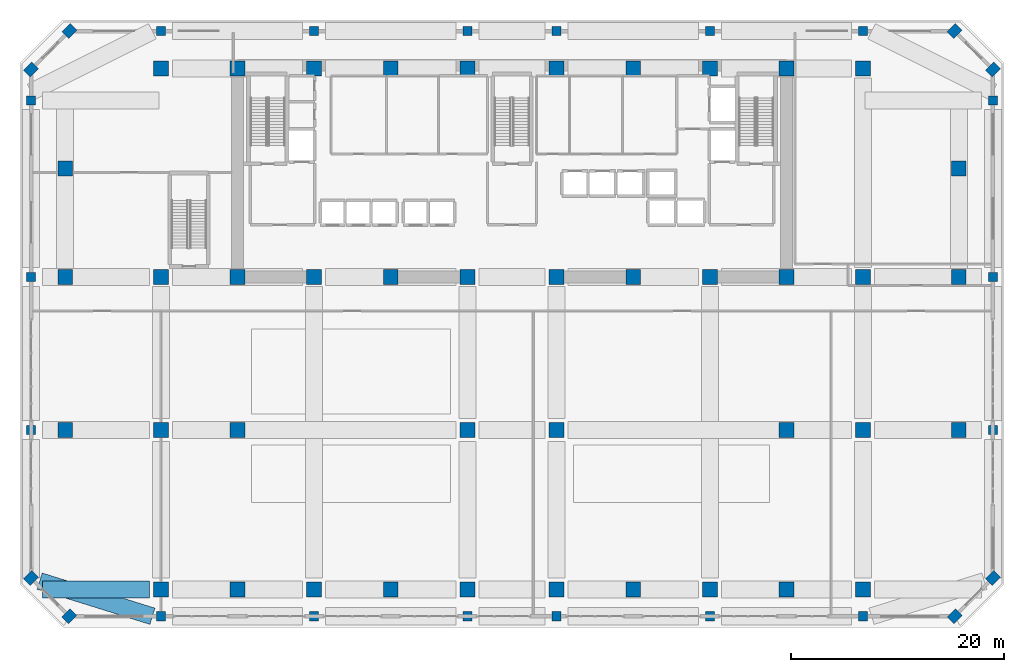
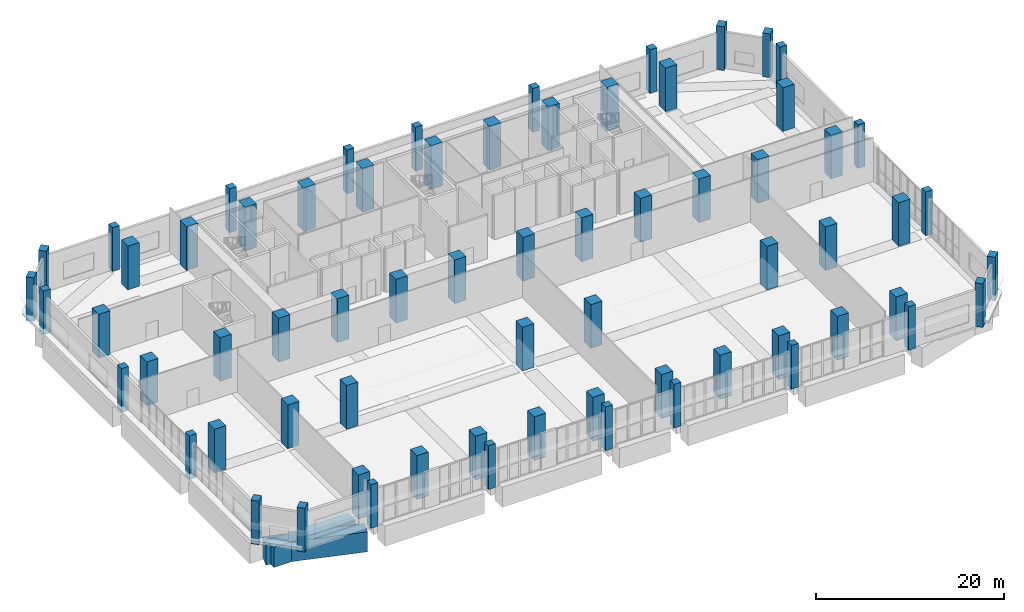
# One storey, part 1 of 25: 68 columns, 2 beams.
"""IFC4 building model written with IfcOpenShell, lengths in metres."""

from ifc_helpers import new_model, si_unit, direction, frame, origin, origin_2d, place, context, subcontext, project, spatial, rectangle, extrude, material, material_profile, profile_set, type_object, element, save


model = new_model("IFC4")

# Units and contexts
model_context = context("Model", 3, precision=1e-05, world=origin(), true_north=direction((0.0, 1.0)))
body_context = subcontext(model_context, "Body", "Model", "MODEL_VIEW")
ifc_project = project(units=[si_unit("LENGTHUNIT", "METRE"), si_unit("AREAUNIT", "SQUARE_METRE"), si_unit("VOLUMEUNIT", "CUBIC_METRE"), si_unit("PLANEANGLEUNIT", "RADIAN"), si_unit("MASSUNIT", "GRAM", prefix="KILO")], contexts=[model_context])

# Site, building, storey
site_placement = place(None, origin())
site = spatial("IfcSite", under=ifc_project, at=site_placement, CompositionType="ELEMENT")
building_placement = place(site_placement, origin())
building = spatial("IfcBuilding", under=site, at=building_placement, Name="Kaelvorn Grand Hotel", CompositionType="ELEMENT")
storey_placement = place(building_placement, frame((0.0, 0.0, 8.0)))
storey = spatial("IfcBuildingStorey", under=building, at=storey_placement, Name="L01", CompositionType="ELEMENT", Elevation=8.0)

# Columns
ifc_material_1 = material(Name="Concrete C80/95", Category="concrete")
ifc_material_profile_1 = material_profile(ifc_material_1, rectangle(XDim=1.10009765625, YDim=0.89990234375, at=origin_2d()), Name="RC PILASTER 1100x900")
ifc_profile_set_1 = profile_set([ifc_material_profile_1], Name="Concrete C80/95")
column_type_1 = type_object("IfcColumnType", Name="COL-PIL-1100x900-C80", PredefinedType="PILASTER", material=ifc_profile_set_1)
for number, where, z_axis, x_axis, name in (
    (1, (0.39990234375, -2.5, 0.0), (0.0, 0.0, 1.0), (0.707106781187, 0.707106781187, 0.0), "L01 Structural Column PDCH-01"),
    (2, (83.60009765625, -2.5, 0.0), (0.0, 0.0, 1.0), (0.707106781187, 0.707106781187, 0.0), "L01 Structural Column PDCH-02"),
    (3, (87.199951171875, 1.10009765625, 0.0), (0.0, 0.0, 1.0), (0.707106781187, 0.707106781187, 0.0), "L01 Structural Column PDCH-03"),
    (4, (87.199951171875, 48.89990234375, 0.0), (0.0, 0.0, 1.0), (0.707106781187, 0.707106781187, 0.0), "L01 Structural Column PDCH-04"),
    (5, (83.60009765625, 52.5, 0.0), (0.0, 0.0, 1.0), (0.707106781187, 0.707106781187, 0.0), "L01 Structural Column PDCH-05"),
    (6, (0.39990234375, 52.5, 0.0), (0.0, 0.0, 1.0), (0.707106781187, 0.707106781187, 0.0), "L01 Structural Column PDCH-06"),
    (7, (-3.199951171875, 48.89990234375, 0.0), (0.0, 0.0, 1.0), (0.707106781187, 0.707106781187, 0.0), "L01 Structural Column PDCH-07"),
    (8, (-3.199951171875, 1.10009765625, 0.0), (0.0, 0.0, 1.0), (0.707106781187, 0.707106781187, 0.0), "L01 Structural Column PDCH-08"),
):
    element("IfcColumn", number, at=place(storey_placement, frame(where, z_axis=z_axis, x_axis=x_axis)), inside=storey, type_object=column_type_1, Name=name, PredefinedType="PILASTER", context=body_context, shape_type="SweptSolid", body=[
        extrude(rectangle(XDim=1.10009765625, YDim=0.89990234375, at=origin_2d()), origin(), (0.0, 0.0, 1.0), 5.679931640625),
    ])
ifc_material_profile_2 = material_profile(ifc_material_1, rectangle(XDim=1.39990234375, YDim=1.39990234375, at=origin_2d()), Name="RC COL 1400x1400")
ifc_profile_set_2 = profile_set([ifc_material_profile_2], Name="Concrete C80/95")
column_type_2 = type_object("IfcColumnType", Name="COL-RC-1400-C80", PredefinedType="COLUMN", material=ifc_profile_set_2)
for number, where, z_axis, x_axis, name in (
    (9, (9.0, 0.0, 0.0), (0.0, 0.0, 1.0), (1.0, 0.0, 0.0), "L01 Structural Column TS-01"),
    (10, (9.0, 29.39990234375, 0.0), (0.0, 0.0, 1.0), (1.0, 0.0, 0.0), "L01 Structural Column TC-01"),
    (11, (9.0, 49.0, 0.0), (0.0, 0.0, 1.0), (1.0, 0.0, 0.0), "L01 Structural Column TN-01"),
    (12, (16.199951171875, 0.0, 0.0), (0.0, 0.0, 1.0), (1.0, 0.0, 0.0), "L01 Structural Column TS-02"),
    (13, (16.199951171875, 29.39990234375, 0.0), (0.0, 0.0, 1.0), (1.0, 0.0, 0.0), "L01 Structural Column TC-02"),
    (14, (16.199951171875, 49.0, 0.0), (0.0, 0.0, 1.0), (1.0, 0.0, 0.0), "L01 Structural Column TN-02"),
    (15, (23.39990234375, 0.0, 0.0), (0.0, 0.0, 1.0), (1.0, 0.0, 0.0), "L01 Structural Column TS-03"),
    (16, (23.39990234375, 29.39990234375, 0.0), (0.0, 0.0, 1.0), (1.0, 0.0, 0.0), "L01 Structural Column TC-03"),
    (17, (23.39990234375, 49.0, 0.0), (0.0, 0.0, 1.0), (1.0, 0.0, 0.0), "L01 Structural Column TN-03"),
    (18, (30.60009765625, 0.0, 0.0), (0.0, 0.0, 1.0), (1.0, 0.0, 0.0), "L01 Structural Column TS-04"),
    (19, (30.60009765625, 29.39990234375, 0.0), (0.0, 0.0, 1.0), (1.0, 0.0, 0.0), "L01 Structural Column TC-04"),
    (20, (30.60009765625, 49.0, 0.0), (0.0, 0.0, 1.0), (1.0, 0.0, 0.0), "L01 Structural Column TN-04"),
    (21, (37.800048828125, 0.0, 0.0), (0.0, 0.0, 1.0), (1.0, 0.0, 0.0), "L01 Structural Column TS-05"),
    (22, (37.800048828125, 29.39990234375, 0.0), (0.0, 0.0, 1.0), (1.0, 0.0, 0.0), "L01 Structural Column TC-05"),
    (23, (37.800048828125, 49.0, 0.0), (0.0, 0.0, 1.0), (1.0, 0.0, 0.0), "L01 Structural Column TN-05"),
    (24, (46.199951171875, 0.0, 0.0), (0.0, 0.0, 1.0), (1.0, 0.0, 0.0), "L01 Structural Column TS-06"),
    (25, (46.199951171875, 29.39990234375, 0.0), (0.0, 0.0, 1.0), (1.0, 0.0, 0.0), "L01 Structural Column TC-06"),
    (26, (46.199951171875, 49.0, 0.0), (0.0, 0.0, 1.0), (1.0, 0.0, 0.0), "L01 Structural Column TN-06"),
    (27, (53.39990234375, 0.0, 0.0), (0.0, 0.0, 1.0), (1.0, 0.0, 0.0), "L01 Structural Column TS-07"),
    (28, (53.39990234375, 29.39990234375, 0.0), (0.0, 0.0, 1.0), (1.0, 0.0, 0.0), "L01 Structural Column TC-07"),
    (29, (53.39990234375, 49.0, 0.0), (0.0, 0.0, 1.0), (1.0, 0.0, 0.0), "L01 Structural Column TN-07"),
    (30, (60.60009765625, 0.0, 0.0), (0.0, 0.0, 1.0), (1.0, 0.0, 0.0), "L01 Structural Column TS-08"),
    (31, (60.60009765625, 29.39990234375, 0.0), (0.0, 0.0, 1.0), (1.0, 0.0, 0.0), "L01 Structural Column TC-08"),
    (32, (60.60009765625, 49.0, 0.0), (0.0, 0.0, 1.0), (1.0, 0.0, 0.0), "L01 Structural Column TN-08"),
    (33, (67.800048828125, 0.0, 0.0), (0.0, 0.0, 1.0), (1.0, 0.0, 0.0), "L01 Structural Column TS-09"),
    (34, (67.800048828125, 29.39990234375, 0.0), (0.0, 0.0, 1.0), (1.0, 0.0, 0.0), "L01 Structural Column TC-09"),
    (35, (67.800048828125, 49.0, 0.0), (0.0, 0.0, 1.0), (1.0, 0.0, 0.0), "L01 Structural Column TN-09"),
    (36, (75.0, 0.0, 0.0), (0.0, 0.0, 1.0), (1.0, 0.0, 0.0), "L01 Structural Column TS-10"),
    (37, (75.0, 29.39990234375, 0.0), (0.0, 0.0, 1.0), (1.0, 0.0, 0.0), "L01 Structural Column TC-10"),
    (38, (75.0, 49.0, 0.0), (0.0, 0.0, 1.0), (1.0, 0.0, 0.0), "L01 Structural Column TN-10"),
    (39, (9.0, 15.0, 0.0), (0.0, 0.0, 1.0), (1.0, 0.0, 0.0), "L01 Structural Column TM-01"),
    (40, (37.800048828125, 15.0, 0.0), (0.0, 0.0, 1.0), (1.0, 0.0, 0.0), "L01 Structural Column TM-02"),
    (41, (46.199951171875, 15.0, 0.0), (0.0, 0.0, 1.0), (1.0, 0.0, 0.0), "L01 Structural Column TM-03"),
    (42, (75.0, 15.0, 0.0), (0.0, 0.0, 1.0), (1.0, 0.0, 0.0), "L01 Structural Column TM-04"),
    (43, (16.199951171875, 15.0, 0.0), (0.0, 0.0, 1.0), (1.0, 0.0, 0.0), "L01 Structural Column TMR-01"),
    (44, (67.800048828125, 15.0, 0.0), (0.0, 0.0, 1.0), (1.0, 0.0, 0.0), "L01 Structural Column TMR-02"),
    (45, (0.0, 15.0, 0.0), (0.0, 0.0, 1.0), (1.0, 0.0, 0.0), "L01 Structural Column TW-01"),
    (46, (84.0, 15.0, 0.0), (0.0, 0.0, 1.0), (1.0, 0.0, 0.0), "L01 Structural Column TE-01"),
    (47, (0.0, 29.39990234375, 0.0), (0.0, 0.0, 1.0), (1.0, 0.0, 0.0), "L01 Structural Column TW-02"),
    (48, (84.0, 29.39990234375, 0.0), (0.0, 0.0, 1.0), (1.0, 0.0, 0.0), "L01 Structural Column TE-02"),
    (49, (0.0, 39.60009765625, 0.0), (0.0, 0.0, 1.0), (1.0, 0.0, 0.0), "L01 Structural Column TW-03"),
    (50, (84.0, 39.60009765625, 0.0), (0.0, 0.0, 1.0), (1.0, 0.0, 0.0), "L01 Structural Column TE-03"),
):
    element("IfcColumn", number, at=place(storey_placement, frame(where, z_axis=z_axis, x_axis=x_axis)), inside=storey, type_object=column_type_2, Name=name, PredefinedType="COLUMN", context=body_context, shape_type="SweptSolid", body=[
        extrude(rectangle(XDim=1.39990234375, YDim=1.39990234375, at=origin_2d()), origin(), (0.0, 0.0, 1.0), 5.679931640625),
    ])
ifc_material_2 = material(Name="Concrete C50/60", Category="concrete")
ifc_material_profile_3 = material_profile(ifc_material_2, rectangle(XDim=0.85009765625, YDim=0.85009765625, at=origin_2d()), Name="RC COL 850x850")
ifc_profile_set_3 = profile_set([ifc_material_profile_3], Name="Concrete C50/60")
column_type_3 = type_object("IfcColumnType", Name="COL-RC-850-C50", PredefinedType="COLUMN", material=ifc_profile_set_3)
for number, where, z_axis, x_axis, name in (
    (51, (9.0, -2.5, 0.0), (0.0, 0.0, 1.0), (1.0, 0.0, 0.0), "L01 Structural Column PDS-01"),
    (52, (9.0, 52.5, 0.0), (0.0, 0.0, 1.0), (1.0, 0.0, 0.0), "L01 Structural Column PDN-01"),
    (53, (23.39990234375, -2.5, 0.0), (0.0, 0.0, 1.0), (1.0, 0.0, 0.0), "L01 Structural Column PDS-02"),
    (54, (23.39990234375, 52.5, 0.0), (0.0, 0.0, 1.0), (1.0, 0.0, 0.0), "L01 Structural Column PDN-02"),
    (55, (37.800048828125, -2.5, 0.0), (0.0, 0.0, 1.0), (1.0, 0.0, 0.0), "L01 Structural Column PDS-03"),
    (56, (37.800048828125, 52.5, 0.0), (0.0, 0.0, 1.0), (1.0, 0.0, 0.0), "L01 Structural Column PDN-03"),
    (57, (46.199951171875, -2.5, 0.0), (0.0, 0.0, 1.0), (1.0, 0.0, 0.0), "L01 Structural Column PDS-04"),
    (58, (46.199951171875, 52.5, 0.0), (0.0, 0.0, 1.0), (1.0, 0.0, 0.0), "L01 Structural Column PDN-04"),
    (59, (60.60009765625, -2.5, 0.0), (0.0, 0.0, 1.0), (1.0, 0.0, 0.0), "L01 Structural Column PDS-05"),
    (60, (60.60009765625, 52.5, 0.0), (0.0, 0.0, 1.0), (1.0, 0.0, 0.0), "L01 Structural Column PDN-05"),
    (61, (75.0, -2.5, 0.0), (0.0, 0.0, 1.0), (1.0, 0.0, 0.0), "L01 Structural Column PDS-06"),
    (62, (75.0, 52.5, 0.0), (0.0, 0.0, 1.0), (1.0, 0.0, 0.0), "L01 Structural Column PDN-06"),
    (63, (-3.199951171875, 15.0, 0.0), (0.0, 0.0, 1.0), (1.0, 0.0, 0.0), "L01 Structural Column PDW-01"),
    (64, (87.199951171875, 15.0, 0.0), (0.0, 0.0, 1.0), (1.0, 0.0, 0.0), "L01 Structural Column PDE-01"),
    (65, (-3.199951171875, 29.39990234375, 0.0), (0.0, 0.0, 1.0), (1.0, 0.0, 0.0), "L01 Structural Column PDW-02"),
    (66, (87.199951171875, 29.39990234375, 0.0), (0.0, 0.0, 1.0), (1.0, 0.0, 0.0), "L01 Structural Column PDE-02"),
    (67, (-3.199951171875, 46.0, 0.0), (0.0, 0.0, 1.0), (1.0, 0.0, 0.0), "L01 Structural Column PDW-03"),
    (68, (87.199951171875, 46.0, 0.0), (0.0, 0.0, 1.0), (1.0, 0.0, 0.0), "L01 Structural Column PDE-03"),
):
    element("IfcColumn", number, at=place(storey_placement, frame(where, z_axis=z_axis, x_axis=x_axis)), inside=storey, type_object=column_type_3, Name=name, PredefinedType="COLUMN", context=body_context, shape_type="SweptSolid", body=[
        extrude(rectangle(XDim=0.85009765625, YDim=0.85009765625, at=origin_2d()), origin(), (0.0, 0.0, 1.0), 5.679931640625),
    ])

# Beams
ifc_material_profile_4 = material_profile(ifc_material_1, rectangle(XDim=1.60009765625, YDim=2.60009765625, at=origin_2d()), Name="RC TG 1600x2600")
ifc_profile_set_4 = profile_set([ifc_material_profile_4], Name="Concrete C80/95")
beam_type = type_object("IfcBeamType", Name="BM-TG-1600x2600-C80", PredefinedType="USERDEFINED", material=ifc_profile_set_4)
beam_1_placement = place(storey_placement, frame((-2.114990234375, 0.0, -1.300048828125), z_axis=(1.0, 0.0, 0.0), x_axis=(0.0, 1.0, 0.0)))
element("IfcBeam", 69, at=beam_1_placement, inside=storey, type_object=beam_type, Name="L01 Pilotis Transfer Girder TGX-S0 01", ObjectType="TRANSFER GIRDER", PredefinedType="USERDEFINED", context=body_context, shape_type="SweptSolid", body=[
    extrude(rectangle(XDim=1.60009765625, YDim=2.60009765625, at=origin_2d()), origin(), (0.0, 0.0, 1.0), 10.030029296875),
])
beam_2_placement = place(storey_placement, frame((-2.39990234375, 0.800048828125, -1.300048828125), z_axis=(0.954797565944, -0.297256804912, 0.0), x_axis=(0.297256804912, 0.954797565944, 0.0)))
element("IfcBeam", 70, at=beam_2_placement, inside=storey, type_object=beam_type, Name="L01 Chamfer Corner Transfer Girder 1", ObjectType="TRANSFER GIRDER", PredefinedType="USERDEFINED", context=body_context, shape_type="SweptSolid", body=[
    extrude(rectangle(XDim=1.60009765625, YDim=2.60009765625, at=origin_2d()), origin(), (0.0, 0.0, 1.0), 11.1015625),
])

save(model, "model.ifc")
